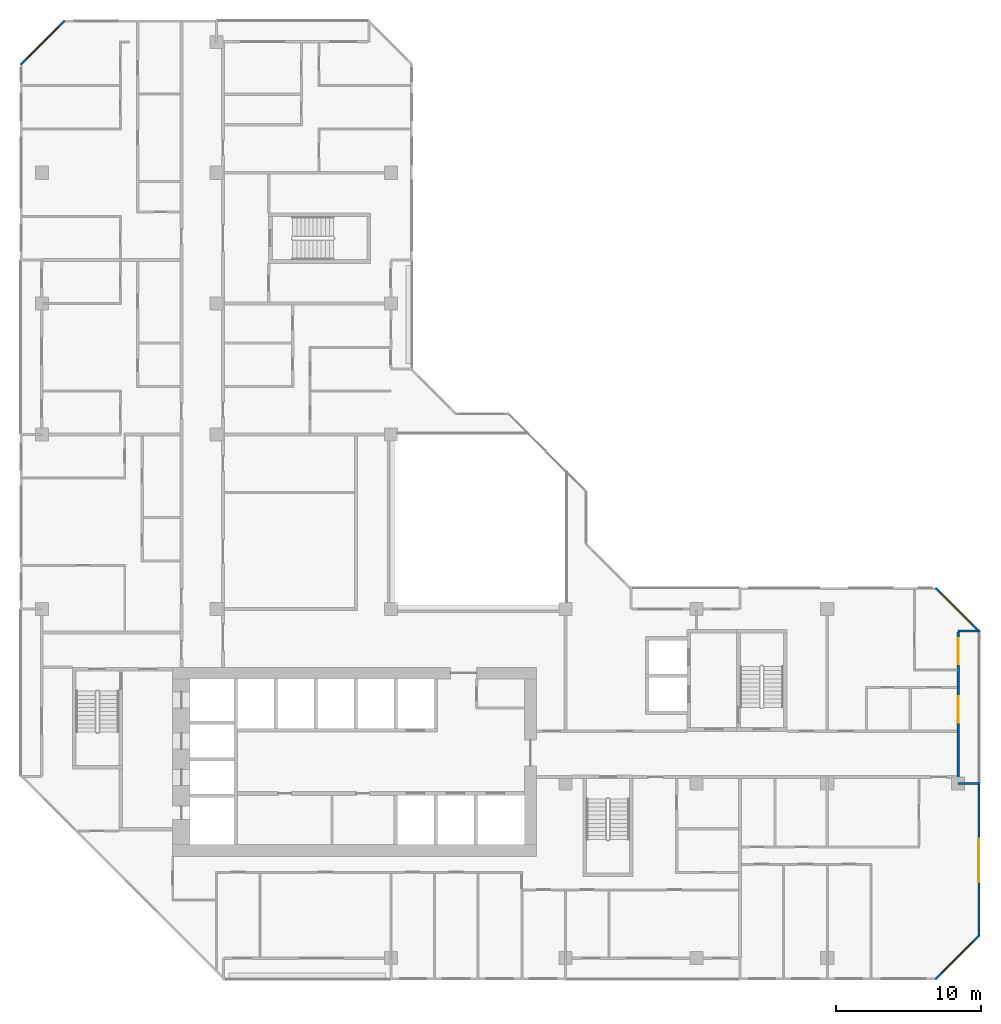
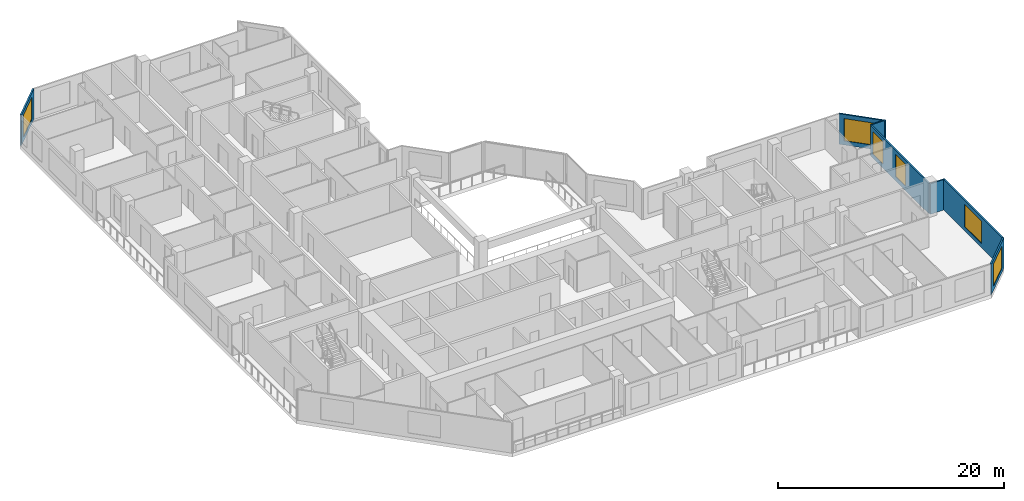
# One storey, part 12 of 15: 7 walls, 6 windows, 6 openings.
"""IFC4 building model written with IfcOpenShell, lengths in metres."""

from ifc_helpers import new_model, si_unit, direction, frame, frame_2d, origin, place, context, subcontext, project, spatial, rectangle, extrude, material, layer, layer_set, type_object, element, fill, save


model = new_model("IFC4")

# Units and contexts
model_context = context("Model", 3, precision=1e-05, world=origin(), true_north=direction((0.0, 1.0)))
body_context = subcontext(model_context, "Body", "Model", "MODEL_VIEW")
ifc_project = project(units=[si_unit("LENGTHUNIT", "METRE"), si_unit("AREAUNIT", "SQUARE_METRE"), si_unit("VOLUMEUNIT", "CUBIC_METRE"), si_unit("PLANEANGLEUNIT", "RADIAN"), si_unit("MASSUNIT", "GRAM", prefix="KILO")], contexts=[model_context])

# Site, building, storey
site_placement = place(None, origin())
site = spatial("IfcSite", under=ifc_project, at=site_placement, CompositionType="ELEMENT")
building_placement = place(site_placement, origin())
building = spatial("IfcBuilding", under=site, at=building_placement, Name="Chenar Terraces", CompositionType="ELEMENT")
storey_placement = place(building_placement, frame((0.0, 0.0, 202.39990234375)))
storey = spatial("IfcBuildingStorey", under=building, at=storey_placement, Name="L47", CompositionType="ELEMENT", Elevation=202.39990234375)

# Wall, opening, window
ifc_material_1 = material(Name="Aluminium framed glazing", Category="aluminium")
ifc_layer_1 = layer(ifc_material_1, 0.14990234375)
ifc_layer_set_1 = layer_set([ifc_layer_1], Name="Aluminium framed glazing")
wall_type_1 = type_object("IfcWallType", Name="Glazed flush facade wall 150", PredefinedType="SOLIDWALL", material=ifc_layer_set_1)
wall_1_placement = place(storey_placement, frame((64.425048828125, 1.5, 0.0), z_axis=(0.0, 0.0, 1.0), x_axis=(0.0, 1.0, 0.0)))
wall_1 = element("IfcWall", 1, at=wall_1_placement, inside=storey, type_object=wall_type_1, Name="Glazed flush facade wall", PredefinedType="SOLIDWALL", context=body_context, shape_type="SweptSolid", body=[
    extrude(rectangle(XDim=10.425048828125, YDim=0.14990234375, at=frame_2d((5.21240234375, 0.0))), origin(), (0.0, 0.0, 1.0), 3.300048828125),
])
opening_1_placement = place(wall_1_placement, frame((3.71240234375, 0.0, 0.449951171875)))
opening_1 = element("IfcOpeningElement", 2, at=opening_1_placement, cuts=wall_1, Name="Opening W300x240", PredefinedType="OPENING", context=body_context, shape_type="SweptSolid", body=[
    extrude(rectangle(XDim=3.0, YDim=2.39990234375, at=frame_2d((1.5, 1.199951171875))), frame((0.0, 0.0849609375, 0.0), z_axis=(0.0, -1.0, 0.0), x_axis=(1.0, 0.0, 0.0)), (0.0, 0.0, 1.0), 0.169921875),
])
ifc_material_2 = material(Name="Low emissivity double glazing, aluminium frame", Category="aluminium")
window_type_1 = type_object("IfcWindowType", Name="Fixed light 3000 x 2400", PartitioningType="SINGLE_PANEL", PredefinedType="WINDOW", material=ifc_material_2)
window_1_placement = place(opening_1_placement, origin())
window_1 = element("IfcWindow", 3, at=window_1_placement, inside=storey, type_object=window_type_1, Name="Window", OverallHeight=2.39990234375, OverallWidth=3.0, PartitioningType="SINGLE_PANEL", PredefinedType="WINDOW", context=body_context, shape_type="SweptSolid", body=[
    extrude(rectangle(XDim=3.0, YDim=2.39990234375, at=frame_2d((1.5, 1.199951171875))), frame((0.0, 0.030029296875, 0.0), z_axis=(0.0, -1.0, 0.0), x_axis=(1.0, 0.0, 0.0)), (0.0, 0.0, 1.0), 0.06005859375),
])
fill(opening_1, window_1)

# Wall, openings, windows
ifc_material_3 = material(Name="Aluminium framed glazing", Category="aluminium")
ifc_layer_2 = layer(ifc_material_3, 0.14990234375)
ifc_layer_set_2 = layer_set([ifc_layer_2], Name="Aluminium framed glazing")
wall_type_2 = type_object("IfcWallType", Name="Glazed loggia back wall 150", PredefinedType="SOLIDWALL", material=ifc_layer_set_2)
wall_2_placement = place(storey_placement, frame((63.0, 12.074951171875, 0.0), z_axis=(0.0, 0.0, 1.0), x_axis=(0.0, 1.0, 0.0)))
wall_2 = element("IfcWall", 4, at=wall_2_placement, inside=storey, type_object=wall_type_2, Name="Glazed loggia back wall", PredefinedType="SOLIDWALL", context=body_context, shape_type="SweptSolid", body=[
    extrude(rectangle(XDim=10.35009765625, YDim=0.14990234375, at=frame_2d((5.175048828125, 0.0))), origin(), (0.0, 0.0, 1.0), 3.300048828125),
])
opening_2_placement = place(wall_2_placement, frame((4.125, 0.0, 0.449951171875)))
opening_2 = element("IfcOpeningElement", 5, at=opening_2_placement, cuts=wall_2, Name="Opening W180x240", PredefinedType="OPENING", context=body_context, shape_type="SweptSolid", body=[
    extrude(rectangle(XDim=1.800048828125, YDim=2.39990234375, at=frame_2d((0.89990234375, 1.199951171875))), frame((0.0, 0.0849609375, 0.0), z_axis=(0.0, -1.0, 0.0), x_axis=(1.0, 0.0, 0.0)), (0.0, 0.0, 1.0), 0.169921875),
])
opening_3_placement = place(wall_2_placement, frame((8.137451171875, 0.0, 0.449951171875)))
opening_3 = element("IfcOpeningElement", 6, at=opening_3_placement, cuts=wall_2, Name="Opening W180x240", PredefinedType="OPENING", context=body_context, shape_type="SweptSolid", body=[
    extrude(rectangle(XDim=1.800048828125, YDim=2.39990234375, at=frame_2d((0.89990234375, 1.199951171875))), frame((0.0, 0.0849609375, 0.0), z_axis=(0.0, -1.0, 0.0), x_axis=(1.0, 0.0, 0.0)), (0.0, 0.0, 1.0), 0.169921875),
])
ifc_material_4 = material(Name="Low emissivity double glazing, aluminium frame", Category="aluminium")
window_type_2 = type_object("IfcWindowType", Name="Fixed light 1800 x 2400", PartitioningType="SINGLE_PANEL", PredefinedType="WINDOW", material=ifc_material_4)
window_2_placement = place(opening_2_placement, origin())
window_2 = element("IfcWindow", 7, at=window_2_placement, inside=storey, type_object=window_type_2, Name="Window", OverallHeight=2.39990234375, OverallWidth=1.800048828125, PartitioningType="SINGLE_PANEL", PredefinedType="WINDOW", context=body_context, shape_type="SweptSolid", body=[
    extrude(rectangle(XDim=1.800048828125, YDim=2.39990234375, at=frame_2d((0.89990234375, 1.199951171875))), frame((0.0, 0.030029296875, 0.0), z_axis=(0.0, -1.0, 0.0), x_axis=(1.0, 0.0, 0.0)), (0.0, 0.0, 1.0), 0.06005859375),
])
fill(opening_2, window_2)
window_3_placement = place(opening_3_placement, origin())
window_3 = element("IfcWindow", 8, at=window_3_placement, inside=storey, type_object=window_type_2, Name="Window", OverallHeight=2.39990234375, OverallWidth=1.800048828125, PartitioningType="SINGLE_PANEL", PredefinedType="WINDOW", context=body_context, shape_type="SweptSolid", body=[
    extrude(rectangle(XDim=1.800048828125, YDim=2.39990234375, at=frame_2d((0.89990234375, 1.199951171875))), frame((0.0, 0.030029296875, 0.0), z_axis=(0.0, -1.0, 0.0), x_axis=(1.0, 0.0, 0.0)), (0.0, 0.0, 1.0), 0.06005859375),
])
fill(opening_3, window_3)

# Walls
ifc_material_5 = material(Name="Terracotta cladding on insulated backing", Category="masonry")
ifc_layer_3 = layer(ifc_material_5, 0.14990234375)
ifc_layer_set_3 = layer_set([ifc_layer_3], Name="Terracotta cladding on insulated backing")
wall_type_3 = type_object("IfcWallType", Name="Loggia return wall 150", PredefinedType="SOLIDWALL", material=ifc_layer_set_3)
for number, where, z_axis, x_axis, name in (
    (9, (64.5, 12.0, 0.0), (0.0, 0.0, 1.0), (-1.0, 0.0, 0.0), "Loggia return wall"),
    (10, (64.5, 22.5, 0.0), (0.0, 0.0, 1.0), (-1.0, 0.0, 0.0), "Loggia return wall"),
):
    element("IfcWall", number, at=place(storey_placement, frame(where, z_axis=z_axis, x_axis=x_axis)), inside=storey, type_object=wall_type_3, Name=name, PredefinedType="SOLIDWALL", context=body_context, shape_type="SweptSolid", body=[
        extrude(rectangle(XDim=1.5, YDim=0.14990234375, at=frame_2d((0.75, 0.0))), origin(), (0.0, 0.0, 1.0), 3.300048828125),
    ])

# Wall, opening, window
ifc_material_6 = material(Name="Terracotta cladding on insulated backing", Category="masonry")
ifc_layer_4 = layer(ifc_material_6, 0.14990234375)
ifc_layer_set_4 = layer_set([ifc_layer_4], Name="Terracotta cladding on insulated backing")
wall_type_4 = type_object("IfcWallType", Name="Terracotta rainscreen wall 150", PredefinedType="SOLIDWALL", material=ifc_layer_set_4)
wall_3_placement = place(storey_placement, frame((1.552978515625, 64.447021484375, 0.0), z_axis=(0.0, 0.0, 1.0), x_axis=(-0.707106781187, -0.707106781187, 0.0)))
wall_3 = element("IfcWall", 11, at=wall_3_placement, inside=storey, type_object=wall_type_4, Name="Terracotta rainscreen wall", PredefinedType="SOLIDWALL", context=body_context, shape_type="SweptSolid", body=[
    extrude(rectangle(XDim=4.24267578125, YDim=0.14990234375, at=frame_2d((2.121337890625, 0.0))), origin(), (0.0, 0.0, 1.0), 3.300048828125),
])
opening_4_placement = place(wall_3_placement, frame((0.621337890625, 0.0, 0.449951171875)))
opening_4 = element("IfcOpeningElement", 12, at=opening_4_placement, cuts=wall_3, Name="Opening W300x240", PredefinedType="OPENING", context=body_context, shape_type="SweptSolid", body=[
    extrude(rectangle(XDim=3.0, YDim=2.39990234375, at=frame_2d((1.5, 1.199951171875))), frame((0.0, 0.0849609375, 0.0), z_axis=(0.0, -1.0, 0.0), x_axis=(1.0, 0.0, 0.0)), (0.0, 0.0, 1.0), 0.169921875),
])
window_4_placement = place(opening_4_placement, origin())
window_4 = element("IfcWindow", 13, at=window_4_placement, inside=storey, type_object=window_type_1, Name="Window", OverallHeight=2.39990234375, OverallWidth=3.0, PartitioningType="SINGLE_PANEL", PredefinedType="WINDOW", context=body_context, shape_type="SweptSolid", body=[
    extrude(rectangle(XDim=3.0, YDim=2.39990234375, at=frame_2d((1.5, 1.199951171875))), frame((0.0, 0.030029296875, 0.0), z_axis=(0.0, -1.0, 0.0), x_axis=(1.0, 0.0, 0.0)), (0.0, 0.0, 1.0), 0.06005859375),
])
fill(opening_4, window_4)

wall_4_placement = place(storey_placement, frame((61.447021484375, -1.447021484375, 0.0), z_axis=(0.0, 0.0, 1.0), x_axis=(0.707106781187, 0.707106781187, 0.0)))
wall_4 = element("IfcWall", 14, at=wall_4_placement, inside=storey, type_object=wall_type_4, Name="Terracotta rainscreen wall", PredefinedType="SOLIDWALL", context=body_context, shape_type="SweptSolid", body=[
    extrude(rectangle(XDim=4.24267578125, YDim=0.14990234375, at=frame_2d((2.121337890625, 0.0))), origin(), (0.0, 0.0, 1.0), 3.300048828125),
])
opening_5_placement = place(wall_4_placement, frame((0.621337890625, 0.0, 0.449951171875)))
opening_5 = element("IfcOpeningElement", 15, at=opening_5_placement, cuts=wall_4, Name="Opening W300x240", PredefinedType="OPENING", context=body_context, shape_type="SweptSolid", body=[
    extrude(rectangle(XDim=3.0, YDim=2.39990234375, at=frame_2d((1.5, 1.199951171875))), frame((0.0, 0.0849609375, 0.0), z_axis=(0.0, -1.0, 0.0), x_axis=(1.0, 0.0, 0.0)), (0.0, 0.0, 1.0), 0.169921875),
])
window_5_placement = place(opening_5_placement, origin())
window_5 = element("IfcWindow", 16, at=window_5_placement, inside=storey, type_object=window_type_1, Name="Window", OverallHeight=2.39990234375, OverallWidth=3.0, PartitioningType="SINGLE_PANEL", PredefinedType="WINDOW", context=body_context, shape_type="SweptSolid", body=[
    extrude(rectangle(XDim=3.0, YDim=2.39990234375, at=frame_2d((1.5, 1.199951171875))), frame((0.0, 0.030029296875, 0.0), z_axis=(0.0, -1.0, 0.0), x_axis=(1.0, 0.0, 0.0)), (0.0, 0.0, 1.0), 0.06005859375),
])
fill(opening_5, window_5)

wall_5_placement = place(storey_placement, frame((64.447021484375, 22.447021484375, 0.0), z_axis=(0.0, 0.0, 1.0), x_axis=(-0.707106781187, 0.707106781187, 0.0)))
wall_5 = element("IfcWall", 17, at=wall_5_placement, inside=storey, type_object=wall_type_4, Name="Terracotta rainscreen wall", PredefinedType="SOLIDWALL", context=body_context, shape_type="SweptSolid", body=[
    extrude(rectangle(XDim=4.24267578125, YDim=0.14990234375, at=frame_2d((2.121337890625, 0.0))), origin(), (0.0, 0.0, 1.0), 3.300048828125),
])
opening_6_placement = place(wall_5_placement, frame((0.744384765625, 0.0, 0.449951171875)))
opening_6 = element("IfcOpeningElement", 18, at=opening_6_placement, cuts=wall_5, Name="Opening W300x240", PredefinedType="OPENING", context=body_context, shape_type="SweptSolid", body=[
    extrude(rectangle(XDim=3.0, YDim=2.39990234375, at=frame_2d((1.5, 1.199951171875))), frame((0.0, 0.0849609375, 0.0), z_axis=(0.0, -1.0, 0.0), x_axis=(1.0, 0.0, 0.0)), (0.0, 0.0, 1.0), 0.169921875),
])
window_6_placement = place(opening_6_placement, origin())
window_6 = element("IfcWindow", 19, at=window_6_placement, inside=storey, type_object=window_type_1, Name="Window", OverallHeight=2.39990234375, OverallWidth=3.0, PartitioningType="SINGLE_PANEL", PredefinedType="WINDOW", context=body_context, shape_type="SweptSolid", body=[
    extrude(rectangle(XDim=3.0, YDim=2.39990234375, at=frame_2d((1.5, 1.199951171875))), frame((0.0, 0.030029296875, 0.0), z_axis=(0.0, -1.0, 0.0), x_axis=(1.0, 0.0, 0.0)), (0.0, 0.0, 1.0), 0.06005859375),
])
fill(opening_6, window_6)

save(model, "model.ifc")
